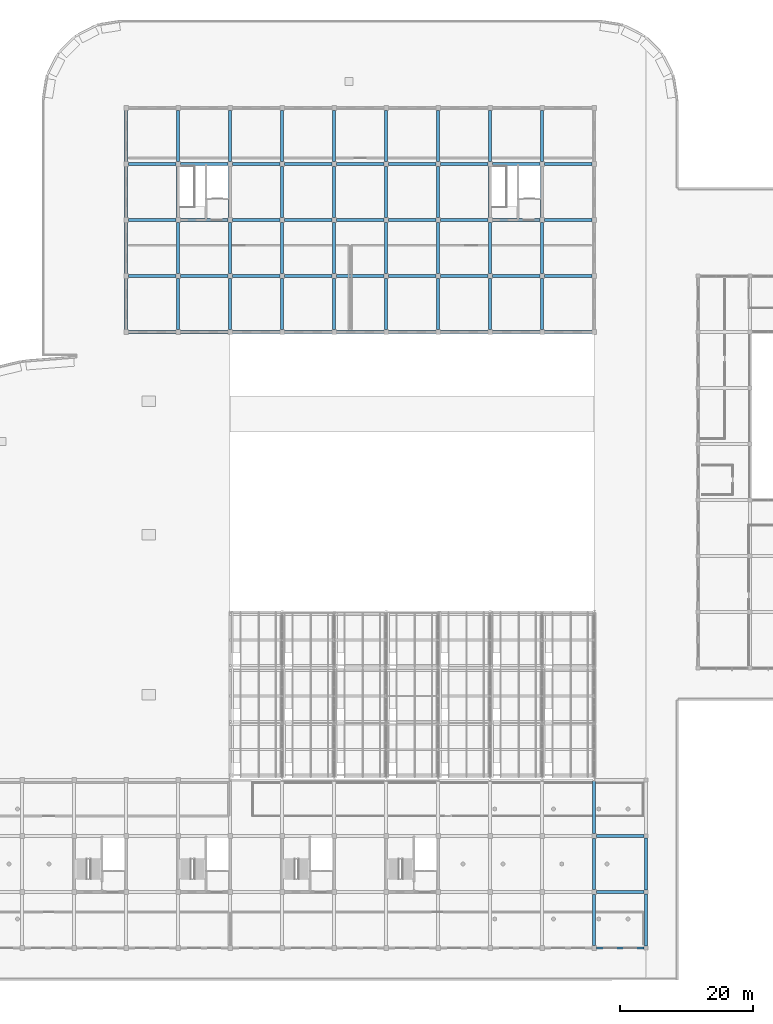
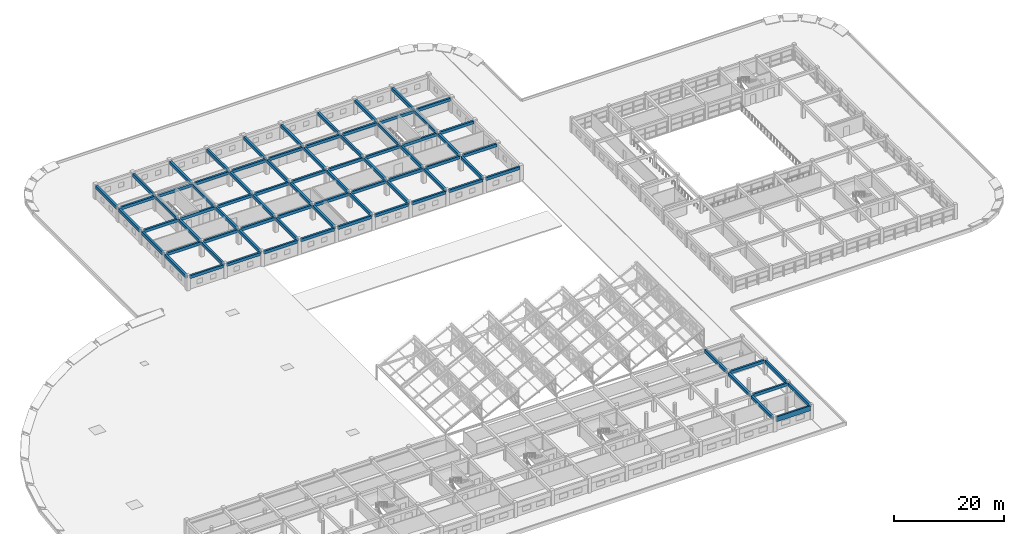
# One storey, part 44 of 101: 80 beams.
"""IFC4 building model written with IfcOpenShell, lengths in metres."""

from ifc_helpers import new_model, si_unit, direction, frame, origin, origin_2d, place, context, subcontext, project, spatial, rectangle, extrude, material, material_profile, profile_set, type_object, element, save


model = new_model("IFC4")

# Units and contexts
model_context = context("Model", 3, precision=1e-05, world=origin(), true_north=direction((0.0, 1.0)))
body_context = subcontext(model_context, "Body", "Model", "MODEL_VIEW")
ifc_project = project(units=[si_unit("LENGTHUNIT", "METRE"), si_unit("AREAUNIT", "SQUARE_METRE"), si_unit("VOLUMEUNIT", "CUBIC_METRE"), si_unit("PLANEANGLEUNIT", "RADIAN"), si_unit("MASSUNIT", "GRAM", prefix="KILO")], contexts=[model_context])

# Site, building, storey
site_placement = place(None, origin())
site = spatial("IfcSite", under=ifc_project, at=site_placement, CompositionType="ELEMENT")
building_placement = place(site_placement, origin())
building = spatial("IfcBuilding", under=site, at=building_placement, Name="Zizhar Promenade General Hospital", CompositionType="ELEMENT")
storey_placement = place(building_placement, frame((0.0, 0.0, 14.39990234375)))
storey = spatial("IfcBuildingStorey", under=building, at=storey_placement, Name="L03", CompositionType="ELEMENT", Elevation=14.39990234375)

# Beams
ifc_material_1 = material(Name="Precast concrete C40/50", Category="concrete")
ifc_material_profile_1 = material_profile(ifc_material_1, rectangle(XDim=0.35009765625, YDim=1.10009765625, at=origin_2d()))
ifc_profile_set_1 = profile_set([ifc_material_profile_1], Name="Precast concrete C40/50")
beam_type_1 = type_object("IfcBeamType", Name="BM-PC-BAND1100", PredefinedType="SPANDREL", material=ifc_profile_set_1)
beam_1_placement = place(storey_placement, frame((125.14990234375, 0.0, 2.760009765625), z_axis=(1.0, 0.0, 0.0), x_axis=(0.0, 1.0, 0.0)))
element("IfcBeam", 1, at=beam_1_placement, inside=storey, type_object=beam_type_1, Name="Grid Beam X L03 (16-0)", PredefinedType="SPANDREL", context=body_context, shape_type="SweptSolid", body=[
    extrude(rectangle(XDim=0.35009765625, YDim=1.10009765625, at=origin_2d()), origin(), (0.0, 0.0, 1.0), 7.16015625),
])
ifc_material_2 = material(Name="Concrete C35/45", Category="concrete")
ifc_material_profile_2 = material_profile(ifc_material_2, rectangle(XDim=0.39990234375, YDim=0.64990234375, at=origin_2d()))
ifc_profile_set_2 = profile_set([ifc_material_profile_2], Name="Concrete C35/45")
beam_type_2 = type_object("IfcBeamType", Name="BM-RC-400x650", PredefinedType="BEAM", material=ifc_profile_set_2)
for number, where, z_axis, x_axis, name in (
    (2, (54.949951171875, 92.39990234375, 2.985107421875), (1.0, 0.0, 0.0), (0.0, 1.0, 0.0), "Grid Beam X L03 (7-11)"),
    (3, (54.949951171875, 100.800048828125, 2.985107421875), (1.0, 0.0, 0.0), (0.0, 1.0, 0.0), "Grid Beam X L03 (7-12)"),
    (4, (54.949951171875, 109.199951171875, 2.985107421875), (1.0, 0.0, 0.0), (0.0, 1.0, 0.0), "Grid Beam X L03 (7-13)"),
    (5, (54.949951171875, 117.60009765625, 2.985107421875), (1.0, 0.0, 0.0), (0.0, 1.0, 0.0), "Grid Beam X L03 (7-14)"),
    (6, (62.75, 92.39990234375, 2.985107421875), (1.0, 0.0, 0.0), (0.0, 1.0, 0.0), "Grid Beam X L03 (8-11)"),
    (7, (62.75, 100.800048828125, 2.985107421875), (1.0, 0.0, 0.0), (0.0, 1.0, 0.0), "Grid Beam X L03 (8-12)"),
    (8, (62.75, 109.199951171875, 2.985107421875), (1.0, 0.0, 0.0), (0.0, 1.0, 0.0), "Grid Beam X L03 (8-13)"),
    (9, (62.75, 117.60009765625, 2.985107421875), (1.0, 0.0, 0.0), (0.0, 1.0, 0.0), "Grid Beam X L03 (8-14)"),
):
    element("IfcBeam", number, at=place(storey_placement, frame(where, z_axis=z_axis, x_axis=x_axis)), inside=storey, type_object=beam_type_2, Name=name, PredefinedType="BEAM", context=body_context, shape_type="SweptSolid", body=[
        extrude(rectangle(XDim=0.39990234375, YDim=0.64990234375, at=origin_2d()), origin(), (0.0, 0.0, 1.0), 7.10009765625),
    ])
for number, where, z_axis, x_axis, name in (
    (10, (70.550048828125, 92.39990234375, 2.985107421875), (1.0, 0.0, 0.0), (0.0, 1.0, 0.0), "Grid Beam X L03 (9-11)"),
    (11, (70.550048828125, 100.800048828125, 2.985107421875), (1.0, 0.0, 0.0), (0.0, 1.0, 0.0), "Grid Beam X L03 (9-12)"),
    (12, (70.550048828125, 109.199951171875, 2.985107421875), (1.0, 0.0, 0.0), (0.0, 1.0, 0.0), "Grid Beam X L03 (9-13)"),
    (13, (70.550048828125, 117.60009765625, 2.985107421875), (1.0, 0.0, 0.0), (0.0, 1.0, 0.0), "Grid Beam X L03 (9-14)"),
    (14, (78.35009765625, 92.39990234375, 2.985107421875), (1.0, 0.0, 0.0), (0.0, 1.0, 0.0), "Grid Beam X L03 (10-11)"),
    (15, (78.35009765625, 100.800048828125, 2.985107421875), (1.0, 0.0, 0.0), (0.0, 1.0, 0.0), "Grid Beam X L03 (10-12)"),
    (16, (78.35009765625, 109.199951171875, 2.985107421875), (1.0, 0.0, 0.0), (0.0, 1.0, 0.0), "Grid Beam X L03 (10-13)"),
    (17, (78.35009765625, 117.60009765625, 2.985107421875), (1.0, 0.0, 0.0), (0.0, 1.0, 0.0), "Grid Beam X L03 (10-14)"),
):
    element("IfcBeam", number, at=place(storey_placement, frame(where, z_axis=z_axis, x_axis=x_axis)), inside=storey, type_object=beam_type_2, Name=name, PredefinedType="BEAM", context=body_context, shape_type="SweptSolid", body=[
        extrude(rectangle(XDim=0.39990234375, YDim=0.64990234375, at=origin_2d()), origin(), (0.0, 0.0, 1.0), 7.099853515625),
    ])
for number, where, z_axis, x_axis, name in (
    (18, (86.14990234375, 92.39990234375, 2.985107421875), (1.0, 0.0, 0.0), (0.0, 1.0, 0.0), "Grid Beam X L03 (11-11)"),
    (19, (86.14990234375, 100.800048828125, 2.985107421875), (1.0, 0.0, 0.0), (0.0, 1.0, 0.0), "Grid Beam X L03 (11-12)"),
    (20, (86.14990234375, 109.199951171875, 2.985107421875), (1.0, 0.0, 0.0), (0.0, 1.0, 0.0), "Grid Beam X L03 (11-13)"),
    (21, (86.14990234375, 117.60009765625, 2.985107421875), (1.0, 0.0, 0.0), (0.0, 1.0, 0.0), "Grid Beam X L03 (11-14)"),
    (22, (93.949951171875, 92.39990234375, 2.985107421875), (1.0, 0.0, 0.0), (0.0, 1.0, 0.0), "Grid Beam X L03 (12-11)"),
    (23, (93.949951171875, 100.800048828125, 2.985107421875), (1.0, 0.0, 0.0), (0.0, 1.0, 0.0), "Grid Beam X L03 (12-12)"),
    (24, (93.949951171875, 109.199951171875, 2.985107421875), (1.0, 0.0, 0.0), (0.0, 1.0, 0.0), "Grid Beam X L03 (12-13)"),
    (25, (93.949951171875, 117.60009765625, 2.985107421875), (1.0, 0.0, 0.0), (0.0, 1.0, 0.0), "Grid Beam X L03 (12-14)"),
    (26, (101.75, 92.39990234375, 2.985107421875), (1.0, 0.0, 0.0), (0.0, 1.0, 0.0), "Grid Beam X L03 (13-11)"),
    (27, (101.75, 100.800048828125, 2.985107421875), (1.0, 0.0, 0.0), (0.0, 1.0, 0.0), "Grid Beam X L03 (13-12)"),
    (28, (101.75, 109.199951171875, 2.985107421875), (1.0, 0.0, 0.0), (0.0, 1.0, 0.0), "Grid Beam X L03 (13-13)"),
    (29, (101.75, 117.60009765625, 2.985107421875), (1.0, 0.0, 0.0), (0.0, 1.0, 0.0), "Grid Beam X L03 (13-14)"),
):
    element("IfcBeam", number, at=place(storey_placement, frame(where, z_axis=z_axis, x_axis=x_axis)), inside=storey, type_object=beam_type_2, Name=name, PredefinedType="BEAM", context=body_context, shape_type="SweptSolid", body=[
        extrude(rectangle(XDim=0.39990234375, YDim=0.64990234375, at=origin_2d()), origin(), (0.0, 0.0, 1.0), 7.10009765625),
    ])
for number, where, z_axis, x_axis, name in (
    (30, (109.550048828125, 92.39990234375, 2.985107421875), (1.0, 0.0, 0.0), (0.0, 1.0, 0.0), "Grid Beam X L03 (14-11)"),
    (31, (109.550048828125, 100.800048828125, 2.985107421875), (1.0, 0.0, 0.0), (0.0, 1.0, 0.0), "Grid Beam X L03 (14-12)"),
    (32, (109.550048828125, 109.199951171875, 2.985107421875), (1.0, 0.0, 0.0), (0.0, 1.0, 0.0), "Grid Beam X L03 (14-13)"),
    (33, (109.550048828125, 117.60009765625, 2.985107421875), (1.0, 0.0, 0.0), (0.0, 1.0, 0.0), "Grid Beam X L03 (14-14)"),
    (34, (117.35009765625, 92.39990234375, 2.985107421875), (1.0, 0.0, 0.0), (0.0, 1.0, 0.0), "Grid Beam X L03 (15-11)"),
    (35, (117.35009765625, 100.800048828125, 2.985107421875), (1.0, 0.0, 0.0), (0.0, 1.0, 0.0), "Grid Beam X L03 (15-12)"),
    (36, (117.35009765625, 109.199951171875, 2.985107421875), (1.0, 0.0, 0.0), (0.0, 1.0, 0.0), "Grid Beam X L03 (15-13)"),
    (37, (117.35009765625, 117.60009765625, 2.985107421875), (1.0, 0.0, 0.0), (0.0, 1.0, 0.0), "Grid Beam X L03 (15-14)"),
):
    element("IfcBeam", number, at=place(storey_placement, frame(where, z_axis=z_axis, x_axis=x_axis)), inside=storey, type_object=beam_type_2, Name=name, PredefinedType="BEAM", context=body_context, shape_type="SweptSolid", body=[
        extrude(rectangle(XDim=0.39990234375, YDim=0.64990234375, at=origin_2d()), origin(), (0.0, 0.0, 1.0), 7.099853515625),
    ])
for number, where, z_axis, x_axis, name in (
    (38, (125.14990234375, 8.39990234375, 2.985107421875), (1.0, 0.0, 0.0), (0.0, 1.0, 0.0), "Grid Beam X L03 (16-1)"),
    (39, (125.14990234375, 16.800048828125, 2.985107421875), (1.0, 0.0, 0.0), (0.0, 1.0, 0.0), "Grid Beam X L03 (16-2)"),
):
    element("IfcBeam", number, at=place(storey_placement, frame(where, z_axis=z_axis, x_axis=x_axis)), inside=storey, type_object=beam_type_2, Name=name, PredefinedType="BEAM", context=body_context, shape_type="SweptSolid", body=[
        extrude(rectangle(XDim=0.39990234375, YDim=0.64990234375, at=origin_2d()), origin(), (0.0, 0.0, 1.0), 7.16015625),
    ])
ifc_material_3 = material(Name="Concrete C35/45", Category="concrete")
ifc_material_profile_3 = material_profile(ifc_material_3, rectangle(XDim=0.449951171875, YDim=0.699951171875, at=origin_2d()))
ifc_profile_set_3 = profile_set([ifc_material_profile_3], Name="Concrete C35/45")
beam_type_3 = type_object("IfcBeamType", Name="BM-RC-450x700", PredefinedType="BEAM", material=ifc_profile_set_3)
beam_2_placement = place(storey_placement, frame((54.60009765625, 92.75, 2.960205078125), z_axis=(0.0, 1.0, 0.0), x_axis=(-1.0, 0.0, 0.0)))
element("IfcBeam", 40, at=beam_2_placement, inside=storey, type_object=beam_type_3, Name="Grid Beam Y L03 (7-11)", PredefinedType="BEAM", context=body_context, shape_type="SweptSolid", body=[
    extrude(rectangle(XDim=0.449951171875, YDim=0.699951171875, at=origin_2d()), origin(), (0.0, 0.0, 1.0), 7.699951171875),
])
beam_3_placement = place(storey_placement, frame((54.60009765625, 101.14990234375, 2.960205078125), z_axis=(0.0, 1.0, 0.0), x_axis=(-1.0, 0.0, 0.0)))
element("IfcBeam", 41, at=beam_3_placement, inside=storey, type_object=beam_type_3, Name="Grid Beam Y L03 (7-12)", PredefinedType="BEAM", context=body_context, shape_type="SweptSolid", body=[
    extrude(rectangle(XDim=0.449951171875, YDim=0.699951171875, at=origin_2d()), origin(), (0.0, 0.0, 1.0), 7.7001953125),
])
for number, where, z_axis, x_axis, name in (
    (42, (54.60009765625, 109.550048828125, 2.960205078125), (0.0, 1.0, 0.0), (-1.0, 0.0, 0.0), "Grid Beam Y L03 (7-13)"),
    (43, (54.60009765625, 117.949951171875, 2.960205078125), (0.0, 1.0, 0.0), (-1.0, 0.0, 0.0), "Grid Beam Y L03 (7-14)"),
    (44, (62.39990234375, 92.75, 2.960205078125), (0.0, 1.0, 0.0), (-1.0, 0.0, 0.0), "Grid Beam Y L03 (8-11)"),
):
    element("IfcBeam", number, at=place(storey_placement, frame(where, z_axis=z_axis, x_axis=x_axis)), inside=storey, type_object=beam_type_3, Name=name, PredefinedType="BEAM", context=body_context, shape_type="SweptSolid", body=[
        extrude(rectangle(XDim=0.449951171875, YDim=0.699951171875, at=origin_2d()), origin(), (0.0, 0.0, 1.0), 7.699951171875),
    ])
beam_4_placement = place(storey_placement, frame((62.39990234375, 101.14990234375, 2.960205078125), z_axis=(0.0, 1.0, 0.0), x_axis=(-1.0, 0.0, 0.0)))
element("IfcBeam", 45, at=beam_4_placement, inside=storey, type_object=beam_type_3, Name="Grid Beam Y L03 (8-12)", PredefinedType="BEAM", context=body_context, shape_type="SweptSolid", body=[
    extrude(rectangle(XDim=0.449951171875, YDim=0.699951171875, at=origin_2d()), origin(), (0.0, 0.0, 1.0), 7.7001953125),
])
for number, where, z_axis, x_axis, name in (
    (46, (62.39990234375, 109.550048828125, 2.960205078125), (0.0, 1.0, 0.0), (-1.0, 0.0, 0.0), "Grid Beam Y L03 (8-13)"),
    (47, (62.39990234375, 117.949951171875, 2.960205078125), (0.0, 1.0, 0.0), (-1.0, 0.0, 0.0), "Grid Beam Y L03 (8-14)"),
    (48, (70.199951171875, 92.75, 2.960205078125), (0.0, 1.0, 0.0), (-1.0, 0.0, 0.0), "Grid Beam Y L03 (9-11)"),
):
    element("IfcBeam", number, at=place(storey_placement, frame(where, z_axis=z_axis, x_axis=x_axis)), inside=storey, type_object=beam_type_3, Name=name, PredefinedType="BEAM", context=body_context, shape_type="SweptSolid", body=[
        extrude(rectangle(XDim=0.449951171875, YDim=0.699951171875, at=origin_2d()), origin(), (0.0, 0.0, 1.0), 7.699951171875),
    ])
beam_5_placement = place(storey_placement, frame((70.199951171875, 101.14990234375, 2.960205078125), z_axis=(0.0, 1.0, 0.0), x_axis=(-1.0, 0.0, 0.0)))
element("IfcBeam", 49, at=beam_5_placement, inside=storey, type_object=beam_type_3, Name="Grid Beam Y L03 (9-12)", PredefinedType="BEAM", context=body_context, shape_type="SweptSolid", body=[
    extrude(rectangle(XDim=0.449951171875, YDim=0.699951171875, at=origin_2d()), origin(), (0.0, 0.0, 1.0), 7.7001953125),
])
for number, where, z_axis, x_axis, name in (
    (50, (70.199951171875, 109.550048828125, 2.960205078125), (0.0, 1.0, 0.0), (-1.0, 0.0, 0.0), "Grid Beam Y L03 (9-13)"),
    (51, (70.199951171875, 117.949951171875, 2.960205078125), (0.0, 1.0, 0.0), (-1.0, 0.0, 0.0), "Grid Beam Y L03 (9-14)"),
    (52, (78.0, 92.75, 2.960205078125), (0.0, 1.0, 0.0), (-1.0, 0.0, 0.0), "Grid Beam Y L03 (10-11)"),
):
    element("IfcBeam", number, at=place(storey_placement, frame(where, z_axis=z_axis, x_axis=x_axis)), inside=storey, type_object=beam_type_3, Name=name, PredefinedType="BEAM", context=body_context, shape_type="SweptSolid", body=[
        extrude(rectangle(XDim=0.449951171875, YDim=0.699951171875, at=origin_2d()), origin(), (0.0, 0.0, 1.0), 7.699951171875),
    ])
beam_6_placement = place(storey_placement, frame((78.0, 101.14990234375, 2.960205078125), z_axis=(0.0, 1.0, 0.0), x_axis=(-1.0, 0.0, 0.0)))
element("IfcBeam", 53, at=beam_6_placement, inside=storey, type_object=beam_type_3, Name="Grid Beam Y L03 (10-12)", PredefinedType="BEAM", context=body_context, shape_type="SweptSolid", body=[
    extrude(rectangle(XDim=0.449951171875, YDim=0.699951171875, at=origin_2d()), origin(), (0.0, 0.0, 1.0), 7.7001953125),
])
for number, where, z_axis, x_axis, name in (
    (54, (78.0, 109.550048828125, 2.960205078125), (0.0, 1.0, 0.0), (-1.0, 0.0, 0.0), "Grid Beam Y L03 (10-13)"),
    (55, (78.0, 117.949951171875, 2.960205078125), (0.0, 1.0, 0.0), (-1.0, 0.0, 0.0), "Grid Beam Y L03 (10-14)"),
    (56, (85.800048828125, 92.75, 2.960205078125), (0.0, 1.0, 0.0), (-1.0, 0.0, 0.0), "Grid Beam Y L03 (11-11)"),
):
    element("IfcBeam", number, at=place(storey_placement, frame(where, z_axis=z_axis, x_axis=x_axis)), inside=storey, type_object=beam_type_3, Name=name, PredefinedType="BEAM", context=body_context, shape_type="SweptSolid", body=[
        extrude(rectangle(XDim=0.449951171875, YDim=0.699951171875, at=origin_2d()), origin(), (0.0, 0.0, 1.0), 7.699951171875),
    ])
beam_7_placement = place(storey_placement, frame((85.800048828125, 101.14990234375, 2.960205078125), z_axis=(0.0, 1.0, 0.0), x_axis=(-1.0, 0.0, 0.0)))
element("IfcBeam", 57, at=beam_7_placement, inside=storey, type_object=beam_type_3, Name="Grid Beam Y L03 (11-12)", PredefinedType="BEAM", context=body_context, shape_type="SweptSolid", body=[
    extrude(rectangle(XDim=0.449951171875, YDim=0.699951171875, at=origin_2d()), origin(), (0.0, 0.0, 1.0), 7.7001953125),
])
for number, where, z_axis, x_axis, name in (
    (58, (85.800048828125, 109.550048828125, 2.960205078125), (0.0, 1.0, 0.0), (-1.0, 0.0, 0.0), "Grid Beam Y L03 (11-13)"),
    (59, (85.800048828125, 117.949951171875, 2.960205078125), (0.0, 1.0, 0.0), (-1.0, 0.0, 0.0), "Grid Beam Y L03 (11-14)"),
    (60, (93.60009765625, 92.75, 2.960205078125), (0.0, 1.0, 0.0), (-1.0, 0.0, 0.0), "Grid Beam Y L03 (12-11)"),
):
    element("IfcBeam", number, at=place(storey_placement, frame(where, z_axis=z_axis, x_axis=x_axis)), inside=storey, type_object=beam_type_3, Name=name, PredefinedType="BEAM", context=body_context, shape_type="SweptSolid", body=[
        extrude(rectangle(XDim=0.449951171875, YDim=0.699951171875, at=origin_2d()), origin(), (0.0, 0.0, 1.0), 7.699951171875),
    ])
beam_8_placement = place(storey_placement, frame((93.60009765625, 101.14990234375, 2.960205078125), z_axis=(0.0, 1.0, 0.0), x_axis=(-1.0, 0.0, 0.0)))
element("IfcBeam", 61, at=beam_8_placement, inside=storey, type_object=beam_type_3, Name="Grid Beam Y L03 (12-12)", PredefinedType="BEAM", context=body_context, shape_type="SweptSolid", body=[
    extrude(rectangle(XDim=0.449951171875, YDim=0.699951171875, at=origin_2d()), origin(), (0.0, 0.0, 1.0), 7.7001953125),
])
for number, where, z_axis, x_axis, name in (
    (62, (93.60009765625, 109.550048828125, 2.960205078125), (0.0, 1.0, 0.0), (-1.0, 0.0, 0.0), "Grid Beam Y L03 (12-13)"),
    (63, (93.60009765625, 117.949951171875, 2.960205078125), (0.0, 1.0, 0.0), (-1.0, 0.0, 0.0), "Grid Beam Y L03 (12-14)"),
    (64, (101.39990234375, 92.75, 2.960205078125), (0.0, 1.0, 0.0), (-1.0, 0.0, 0.0), "Grid Beam Y L03 (13-11)"),
):
    element("IfcBeam", number, at=place(storey_placement, frame(where, z_axis=z_axis, x_axis=x_axis)), inside=storey, type_object=beam_type_3, Name=name, PredefinedType="BEAM", context=body_context, shape_type="SweptSolid", body=[
        extrude(rectangle(XDim=0.449951171875, YDim=0.699951171875, at=origin_2d()), origin(), (0.0, 0.0, 1.0), 7.699951171875),
    ])
beam_9_placement = place(storey_placement, frame((101.39990234375, 101.14990234375, 2.960205078125), z_axis=(0.0, 1.0, 0.0), x_axis=(-1.0, 0.0, 0.0)))
element("IfcBeam", 65, at=beam_9_placement, inside=storey, type_object=beam_type_3, Name="Grid Beam Y L03 (13-12)", PredefinedType="BEAM", context=body_context, shape_type="SweptSolid", body=[
    extrude(rectangle(XDim=0.449951171875, YDim=0.699951171875, at=origin_2d()), origin(), (0.0, 0.0, 1.0), 7.7001953125),
])
for number, where, z_axis, x_axis, name in (
    (66, (101.39990234375, 109.550048828125, 2.960205078125), (0.0, 1.0, 0.0), (-1.0, 0.0, 0.0), "Grid Beam Y L03 (13-13)"),
    (67, (101.39990234375, 117.949951171875, 2.960205078125), (0.0, 1.0, 0.0), (-1.0, 0.0, 0.0), "Grid Beam Y L03 (13-14)"),
    (68, (109.199951171875, 92.75, 2.960205078125), (0.0, 1.0, 0.0), (-1.0, 0.0, 0.0), "Grid Beam Y L03 (14-11)"),
):
    element("IfcBeam", number, at=place(storey_placement, frame(where, z_axis=z_axis, x_axis=x_axis)), inside=storey, type_object=beam_type_3, Name=name, PredefinedType="BEAM", context=body_context, shape_type="SweptSolid", body=[
        extrude(rectangle(XDim=0.449951171875, YDim=0.699951171875, at=origin_2d()), origin(), (0.0, 0.0, 1.0), 7.699951171875),
    ])
beam_10_placement = place(storey_placement, frame((109.199951171875, 101.14990234375, 2.960205078125), z_axis=(0.0, 1.0, 0.0), x_axis=(-1.0, 0.0, 0.0)))
element("IfcBeam", 69, at=beam_10_placement, inside=storey, type_object=beam_type_3, Name="Grid Beam Y L03 (14-12)", PredefinedType="BEAM", context=body_context, shape_type="SweptSolid", body=[
    extrude(rectangle(XDim=0.449951171875, YDim=0.699951171875, at=origin_2d()), origin(), (0.0, 0.0, 1.0), 7.7001953125),
])
for number, where, z_axis, x_axis, name in (
    (70, (109.199951171875, 109.550048828125, 2.960205078125), (0.0, 1.0, 0.0), (-1.0, 0.0, 0.0), "Grid Beam Y L03 (14-13)"),
    (71, (109.199951171875, 117.949951171875, 2.960205078125), (0.0, 1.0, 0.0), (-1.0, 0.0, 0.0), "Grid Beam Y L03 (14-14)"),
    (72, (117.0, 92.75, 2.960205078125), (0.0, 1.0, 0.0), (-1.0, 0.0, 0.0), "Grid Beam Y L03 (15-11)"),
):
    element("IfcBeam", number, at=place(storey_placement, frame(where, z_axis=z_axis, x_axis=x_axis)), inside=storey, type_object=beam_type_3, Name=name, PredefinedType="BEAM", context=body_context, shape_type="SweptSolid", body=[
        extrude(rectangle(XDim=0.449951171875, YDim=0.699951171875, at=origin_2d()), origin(), (0.0, 0.0, 1.0), 7.699951171875),
    ])
beam_11_placement = place(storey_placement, frame((117.0, 101.14990234375, 2.960205078125), z_axis=(0.0, 1.0, 0.0), x_axis=(-1.0, 0.0, 0.0)))
element("IfcBeam", 73, at=beam_11_placement, inside=storey, type_object=beam_type_3, Name="Grid Beam Y L03 (15-12)", PredefinedType="BEAM", context=body_context, shape_type="SweptSolid", body=[
    extrude(rectangle(XDim=0.449951171875, YDim=0.699951171875, at=origin_2d()), origin(), (0.0, 0.0, 1.0), 7.7001953125),
])
for number, where, z_axis, x_axis, name in (
    (74, (117.0, 109.550048828125, 2.960205078125), (0.0, 1.0, 0.0), (-1.0, 0.0, 0.0), "Grid Beam Y L03 (15-13)"),
    (75, (117.0, 117.949951171875, 2.960205078125), (0.0, 1.0, 0.0), (-1.0, 0.0, 0.0), "Grid Beam Y L03 (15-14)"),
    (76, (124.800048828125, 0.35009765625, 2.960205078125), (0.0, 1.0, 0.0), (-1.0, 0.0, 0.0), "Grid Beam Y L03 (16-0)"),
    (77, (124.800048828125, 8.75, 2.960205078125), (0.0, 1.0, 0.0), (-1.0, 0.0, 0.0), "Grid Beam Y L03 (16-1)"),
):
    element("IfcBeam", number, at=place(storey_placement, frame(where, z_axis=z_axis, x_axis=x_axis)), inside=storey, type_object=beam_type_3, Name=name, PredefinedType="BEAM", context=body_context, shape_type="SweptSolid", body=[
        extrude(rectangle(XDim=0.449951171875, YDim=0.699951171875, at=origin_2d()), origin(), (0.0, 0.0, 1.0), 7.699951171875),
    ])
beam_12_placement = place(storey_placement, frame((124.800048828125, 17.14990234375, 2.960205078125), z_axis=(0.0, 1.0, 0.0), x_axis=(-1.0, 0.0, 0.0)))
element("IfcBeam", 78, at=beam_12_placement, inside=storey, type_object=beam_type_3, Name="Grid Beam Y L03 (16-2)", PredefinedType="BEAM", context=body_context, shape_type="SweptSolid", body=[
    extrude(rectangle(XDim=0.449951171875, YDim=0.699951171875, at=origin_2d()), origin(), (0.0, 0.0, 1.0), 7.900146484375),
])
for number, where, z_axis, x_axis, name in (
    (79, (132.60009765625, 0.2900390625, 2.960205078125), (0.0, 1.0, 0.0), (-1.0, 0.0, 0.0), "Grid Beam Y L03 (17-0)"),
    (80, (132.60009765625, 8.68994140625, 2.960205078125), (0.0, 1.0, 0.0), (-1.0, 0.0, 0.0), "Grid Beam Y L03 (17-1)"),
):
    element("IfcBeam", number, at=place(storey_placement, frame(where, z_axis=z_axis, x_axis=x_axis)), inside=storey, type_object=beam_type_3, Name=name, PredefinedType="BEAM", context=body_context, shape_type="SweptSolid", body=[
        extrude(rectangle(XDim=0.449951171875, YDim=0.699951171875, at=origin_2d()), origin(), (0.0, 0.0, 1.0), 7.820068359375),
    ])

save(model, "model.ifc")
